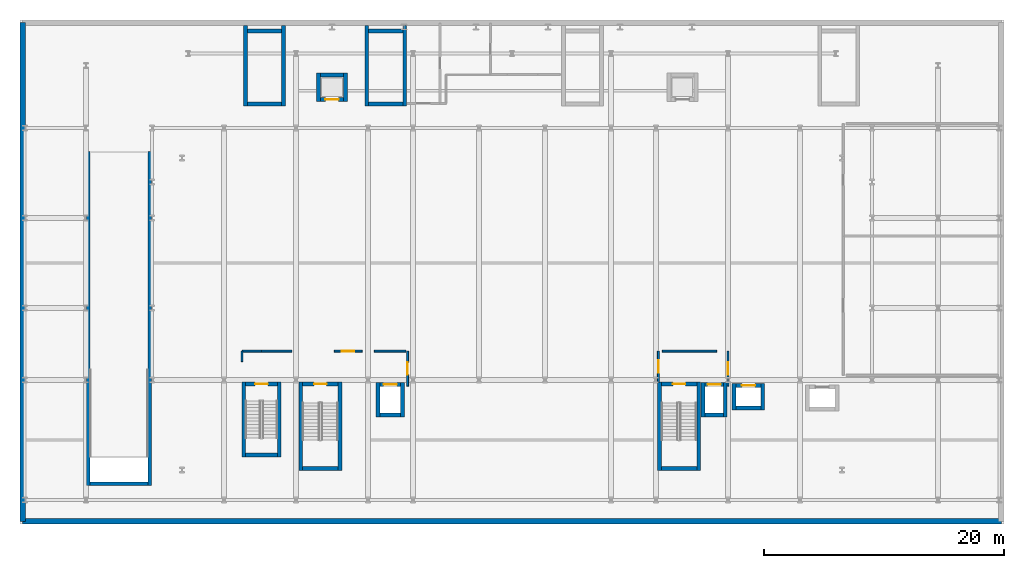
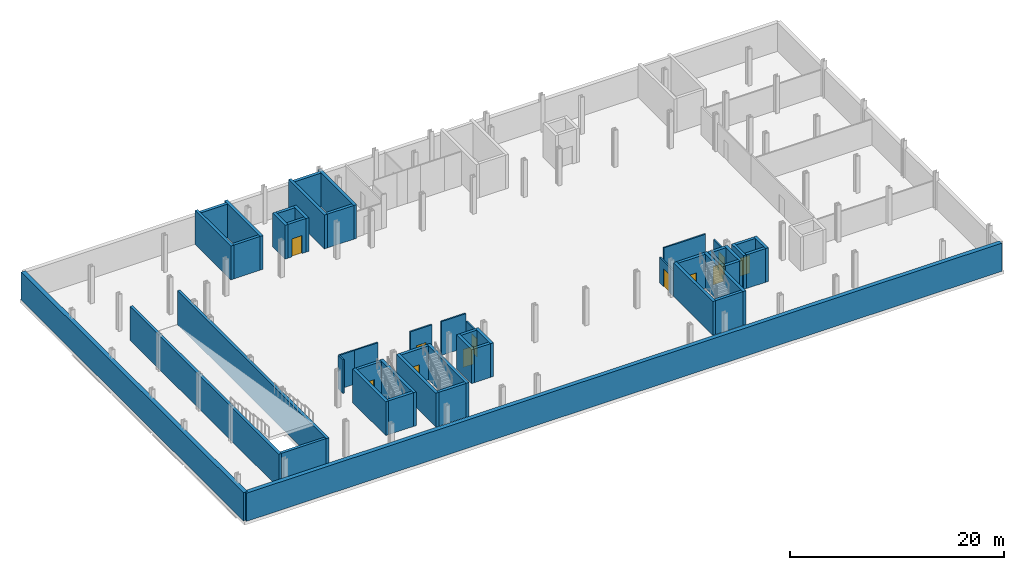
# One storey, part 5 of 12: 50 walls, 11 doors, 11 openings.
"""IFC4 building model written with IfcOpenShell, lengths in metres."""

from ifc_helpers import new_model, si_unit, direction, frame, frame_2d, origin, place, context, subcontext, project, spatial, rectangle, extrude, material, layer, layer_set, type_object, element, fill, save


model = new_model("IFC4")

# Units and contexts
model_context = context("Model", 3, precision=1e-05, world=origin(), true_north=direction((0.0, 1.0)))
body_context = subcontext(model_context, "Body", "Model", "MODEL_VIEW")
ifc_project = project(units=[si_unit("LENGTHUNIT", "METRE"), si_unit("AREAUNIT", "SQUARE_METRE"), si_unit("VOLUMEUNIT", "CUBIC_METRE"), si_unit("PLANEANGLEUNIT", "RADIAN"), si_unit("MASSUNIT", "GRAM", prefix="KILO")], contexts=[model_context])

# Site, building, storey
site_placement = place(None, origin())
site = spatial("IfcSite", under=ifc_project, at=site_placement, CompositionType="ELEMENT")
building_placement = place(site_placement, origin())
building = spatial("IfcBuilding", under=site, at=building_placement, Name="Brevholm Reach", CompositionType="ELEMENT")
storey_placement = place(building_placement, frame((0.0, 0.0, -4.199951171875)))
storey = spatial("IfcBuildingStorey", under=building, at=storey_placement, Name="B01", CompositionType="ELEMENT", Elevation=-4.199951171875)

# Walls
ifc_material_1 = material(Name="Concrete C60/75", Category="concrete")
ifc_layer_1 = layer(ifc_material_1, 0.320068359375)
ifc_layer_set_1 = layer_set([ifc_layer_1], Name="Concrete C60/75")
wall_type_1 = type_object("IfcWallType", Name="WAL-COR-320", PredefinedType="SHEAR", material=ifc_layer_set_1)
for number, where, z_axis, x_axis, name in (
    (1, (12.389892578125, 2.4599609375, 0.0), (0.0, 0.0, 1.0), (0.0, 1.0, 0.0), "B01 Escape Stair ST-1 Core Wall W"),
    (2, (15.659912109375, 2.4599609375, 0.0), (0.0, 0.0, 1.0), (0.0, 1.0, 0.0), "B01 Escape Stair ST-1 Core Wall E"),
):
    element("IfcWall", number, at=place(storey_placement, frame(where, z_axis=z_axis, x_axis=x_axis)), inside=storey, type_object=wall_type_1, Name=name, PredefinedType="SHEAR", context=body_context, shape_type="SweptSolid", body=[
        extrude(rectangle(XDim=7.360107421875, YDim=0.320068359375, at=frame_2d((3.68017578125, 0.0))), origin(), (0.0, 0.0, 1.0), 3.85986328125),
    ])
wall_1_placement = place(storey_placement, frame((12.550048828125, 2.6201171875, 0.0), z_axis=(0.0, 0.0, 1.0), x_axis=(1.0, 0.0, 0.0)))
element("IfcWall", 3, at=wall_1_placement, inside=storey, type_object=wall_type_1, Name="B01 Escape Stair ST-1 Core Wall S", PredefinedType="SHEAR", context=body_context, shape_type="SweptSolid", body=[
    extrude(rectangle(XDim=2.949951171875, YDim=0.320068359375, at=frame_2d((1.47509765625, 0.0))), origin(), (0.0, 0.0, 1.0), 3.85986328125),
])

# Wall, opening, door
wall_2_placement = place(storey_placement, frame((15.5, 9.659912109375, 0.0), z_axis=(0.0, 0.0, 1.0), x_axis=(-1.0, 0.0, 0.0)))
wall_2 = element("IfcWall", 4, at=wall_2_placement, inside=storey, type_object=wall_type_1, Name="B01 Escape Stair ST-1 Core Wall N", PredefinedType="SHEAR", context=body_context, shape_type="SweptSolid", body=[
    extrude(rectangle(XDim=2.949951171875, YDim=0.320068359375, at=frame_2d((1.47509765625, 0.0))), origin(), (0.0, 0.0, 1.0), 3.85986328125),
])
opening_1_placement = place(wall_2_placement, frame((0.949951171875, 0.0, 0.0)))
opening_1 = element("IfcOpeningElement", 5, at=opening_1_placement, cuts=wall_2, Name="Opening SD-ST-1", PredefinedType="OPENING", context=body_context, shape_type="SweptSolid", body=[
    extrude(rectangle(XDim=1.050048828125, YDim=2.06005859375, at=frame_2d((0.52490234375, 1.030029296875))), frame((0.0, 0.169921875, 0.0), z_axis=(0.0, -1.0, 0.0), x_axis=(1.0, 0.0, 0.0)), (0.0, 0.0, 1.0), 0.340087890625),
])
ifc_material_2 = material(Name="Hardwood-Lipped Steel-Core Fire and Smoke Door", Category="steel")
door_type_1 = type_object("IfcDoorType", Name="DOR-INT-FD60S", OperationType="NOTDEFINED", PredefinedType="DOOR", material=ifc_material_2)
door_1_placement = place(opening_1_placement, origin())
door_1 = element("IfcDoor", 6, at=door_1_placement, inside=storey, type_object=door_type_1, Name="B01 Protected Stair ST-1 Lobby Door", OperationType="SINGLE_SWING_LEFT", OverallHeight=2.06005859375, OverallWidth=1.050048828125, PredefinedType="DOOR", context=body_context, shape_type="SweptSolid", body=[
    extrude(rectangle(XDim=1.050048828125, YDim=2.06005859375, at=frame_2d((0.52490234375, 1.030029296875))), frame((0.0, 0.02490234375, 0.0), z_axis=(0.0, -1.0, 0.0), x_axis=(1.0, 0.0, 0.0)), (0.0, 0.0, 1.0), 0.050048828125),
])
fill(opening_1, door_1)

# Walls
for number, where, z_axis, x_axis, name in (
    (7, (42.2900390625, 2.4599609375, 0.0), (0.0, 0.0, 1.0), (0.0, 1.0, 0.0), "B01 Escape Stair ST-2 Core Wall W"),
    (8, (45.56005859375, 2.4599609375, 0.0), (0.0, 0.0, 1.0), (0.0, 1.0, 0.0), "B01 Escape Stair ST-2 Core Wall E"),
):
    element("IfcWall", number, at=place(storey_placement, frame(where, z_axis=z_axis, x_axis=x_axis)), inside=storey, type_object=wall_type_1, Name=name, PredefinedType="SHEAR", context=body_context, shape_type="SweptSolid", body=[
        extrude(rectangle(XDim=7.360107421875, YDim=0.320068359375, at=frame_2d((3.68017578125, 0.0))), origin(), (0.0, 0.0, 1.0), 3.85986328125),
    ])
wall_3_placement = place(storey_placement, frame((42.449951171875, 2.6201171875, 0.0), z_axis=(0.0, 0.0, 1.0), x_axis=(1.0, 0.0, 0.0)))
element("IfcWall", 9, at=wall_3_placement, inside=storey, type_object=wall_type_1, Name="B01 Escape Stair ST-2 Core Wall S", PredefinedType="SHEAR", context=body_context, shape_type="SweptSolid", body=[
    extrude(rectangle(XDim=2.949951171875, YDim=0.320068359375, at=frame_2d((1.47509765625, 0.0))), origin(), (0.0, 0.0, 1.0), 3.85986328125),
])

# Wall, opening, door
wall_4_placement = place(storey_placement, frame((45.39990234375, 9.659912109375, 0.0), z_axis=(0.0, 0.0, 1.0), x_axis=(-1.0, 0.0, 0.0)))
wall_4 = element("IfcWall", 10, at=wall_4_placement, inside=storey, type_object=wall_type_1, Name="B01 Escape Stair ST-2 Core Wall N", PredefinedType="SHEAR", context=body_context, shape_type="SweptSolid", body=[
    extrude(rectangle(XDim=2.949951171875, YDim=0.320068359375, at=frame_2d((1.47509765625, 0.0))), origin(), (0.0, 0.0, 1.0), 3.85986328125),
])
opening_2_placement = place(wall_4_placement, frame((0.949951171875, 0.0, 0.0)))
opening_2 = element("IfcOpeningElement", 11, at=opening_2_placement, cuts=wall_4, Name="Opening SD-ST-2", PredefinedType="OPENING", context=body_context, shape_type="SweptSolid", body=[
    extrude(rectangle(XDim=1.050048828125, YDim=2.06005859375, at=frame_2d((0.52490234375, 1.030029296875))), frame((0.0, 0.169921875, 0.0), z_axis=(0.0, -1.0, 0.0), x_axis=(1.0, 0.0, 0.0)), (0.0, 0.0, 1.0), 0.340087890625),
])
door_2_placement = place(opening_2_placement, origin())
door_2 = element("IfcDoor", 12, at=door_2_placement, inside=storey, type_object=door_type_1, Name="B01 Protected Stair ST-2 Lobby Door", OperationType="SINGLE_SWING_RIGHT", OverallHeight=2.06005859375, OverallWidth=1.050048828125, PredefinedType="DOOR", context=body_context, shape_type="SweptSolid", body=[
    extrude(rectangle(XDim=1.050048828125, YDim=2.06005859375, at=frame_2d((0.52490234375, 1.030029296875))), frame((0.0, 0.02490234375, 0.0), z_axis=(0.0, -1.0, 0.0), x_axis=(1.0, 0.0, 0.0)), (0.0, 0.0, 1.0), 0.050048828125),
])
fill(opening_2, door_2)

# Walls
for number, where, z_axis, x_axis, name in (
    (13, (7.639892578125, 3.60009765625, 0.0), (0.0, 0.0, 1.0), (0.0, 1.0, 0.0), "B01 Escape Stair ST-B1 Core Wall W"),
    (14, (10.610107421875, 3.60009765625, 0.0), (0.0, 0.0, 1.0), (0.0, 1.0, 0.0), "B01 Escape Stair ST-B1 Core Wall E"),
):
    element("IfcWall", number, at=place(storey_placement, frame(where, z_axis=z_axis, x_axis=x_axis)), inside=storey, type_object=wall_type_1, Name=name, PredefinedType="SHEAR", context=body_context, shape_type="SweptSolid", body=[
        extrude(rectangle(XDim=6.219970703125, YDim=0.320068359375, at=frame_2d((3.10986328125, 0.0))), origin(), (0.0, 0.0, 1.0), 3.85986328125),
    ])
wall_5_placement = place(storey_placement, frame((7.800048828125, 3.760009765625, 0.0), z_axis=(0.0, 0.0, 1.0), x_axis=(1.0, 0.0, 0.0)))
element("IfcWall", 15, at=wall_5_placement, inside=storey, type_object=wall_type_1, Name="B01 Escape Stair ST-B1 Core Wall S", PredefinedType="SHEAR", context=body_context, shape_type="SweptSolid", body=[
    extrude(rectangle(XDim=2.64990234375, YDim=0.320068359375, at=frame_2d((1.324951171875, 0.0))), origin(), (0.0, 0.0, 1.0), 3.85986328125),
])

# Wall, opening, door
wall_6_placement = place(storey_placement, frame((10.449951171875, 9.659912109375, 0.0), z_axis=(0.0, 0.0, 1.0), x_axis=(-1.0, 0.0, 0.0)))
wall_6 = element("IfcWall", 16, at=wall_6_placement, inside=storey, type_object=wall_type_1, Name="B01 Escape Stair ST-B1 Core Wall N", PredefinedType="SHEAR", context=body_context, shape_type="SweptSolid", body=[
    extrude(rectangle(XDim=2.64990234375, YDim=0.320068359375, at=frame_2d((1.324951171875, 0.0))), origin(), (0.0, 0.0, 1.0), 3.85986328125),
])
opening_3_placement = place(wall_6_placement, frame((0.800048828125, 0.0, 0.0)))
opening_3 = element("IfcOpeningElement", 17, at=opening_3_placement, cuts=wall_6, Name="Opening SD-ST-B1", PredefinedType="OPENING", context=body_context, shape_type="SweptSolid", body=[
    extrude(rectangle(XDim=1.050048828125, YDim=2.06005859375, at=frame_2d((0.52490234375, 1.030029296875))), frame((0.0, 0.169921875, 0.0), z_axis=(0.0, -1.0, 0.0), x_axis=(1.0, 0.0, 0.0)), (0.0, 0.0, 1.0), 0.340087890625),
])
door_3_placement = place(opening_3_placement, origin())
door_3 = element("IfcDoor", 18, at=door_3_placement, inside=storey, type_object=door_type_1, Name="B01 Protected Stair ST-B1 Lobby Door", OperationType="SINGLE_SWING_LEFT", OverallHeight=2.06005859375, OverallWidth=1.050048828125, PredefinedType="DOOR", context=body_context, shape_type="SweptSolid", body=[
    extrude(rectangle(XDim=1.050048828125, YDim=2.06005859375, at=frame_2d((0.52490234375, 1.030029296875))), frame((0.0, 0.02490234375, 0.0), z_axis=(0.0, -1.0, 0.0), x_axis=(1.0, 0.0, 0.0)), (0.0, 0.0, 1.0), 0.050048828125),
])
fill(opening_3, door_3)

# Walls
for number, where, z_axis, x_axis, name in (
    (19, (18.830078125, 6.919921875, 0.0), (0.0, 0.0, 1.0), (0.0, 1.0, 0.0), "B01 Lift FFL-1 Shaft Wall W"),
    (20, (20.8701171875, 6.919921875, 0.0), (0.0, 0.0, 1.0), (0.0, 1.0, 0.0), "B01 Lift FFL-1 Shaft Wall E"),
):
    element("IfcWall", number, at=place(storey_placement, frame(where, z_axis=z_axis, x_axis=x_axis)), inside=storey, type_object=wall_type_1, Name=name, PredefinedType="SHEAR", context=body_context, shape_type="SweptSolid", body=[
        extrude(rectangle(XDim=2.860107421875, YDim=0.320068359375, at=frame_2d((1.43017578125, 0.0))), origin(), (0.0, 0.0, 1.0), 3.85986328125),
    ])
wall_7_placement = place(storey_placement, frame((18.989990234375, 7.080078125, 0.0), z_axis=(0.0, 0.0, 1.0), x_axis=(1.0, 0.0, 0.0)))
element("IfcWall", 21, at=wall_7_placement, inside=storey, type_object=wall_type_1, Name="B01 Lift FFL-1 Shaft Wall S", PredefinedType="SHEAR", context=body_context, shape_type="SweptSolid", body=[
    extrude(rectangle(XDim=1.719970703125, YDim=0.320068359375, at=frame_2d((0.85986328125, 0.0))), origin(), (0.0, 0.0, 1.0), 3.85986328125),
])

# Wall, opening, door
wall_8_placement = place(storey_placement, frame((18.989990234375, 9.6201171875, 0.0), z_axis=(0.0, 0.0, 1.0), x_axis=(1.0, 0.0, 0.0)))
wall_8 = element("IfcWall", 22, at=wall_8_placement, inside=storey, type_object=wall_type_1, Name="B01 Lift FFL-1 Shaft Wall N", PredefinedType="SHEAR", context=body_context, shape_type="SweptSolid", body=[
    extrude(rectangle(XDim=1.719970703125, YDim=0.320068359375, at=frame_2d((0.85986328125, 0.0))), origin(), (0.0, 0.0, 1.0), 3.85986328125),
])
opening_4_placement = place(wall_8_placement, frame((0.31005859375, 0.0, 0.0)))
opening_4 = element("IfcOpeningElement", 23, at=opening_4_placement, cuts=wall_8, Name="Opening LD-FFL-1", PredefinedType="OPENING", context=body_context, shape_type="SweptSolid", body=[
    extrude(rectangle(XDim=1.10009765625, YDim=2.06005859375, at=frame_2d((0.550048828125, 1.030029296875))), frame((0.0, 0.169921875, 0.0), z_axis=(0.0, -1.0, 0.0), x_axis=(1.0, 0.0, 0.0)), (0.0, 0.0, 1.0), 0.340087890625),
])
ifc_material_3 = material(Name="Brushed Stainless Steel Fire-Rated Sliding Lift Door", Category="steel")
door_type_2 = type_object("IfcDoorType", Name="DOR-LFT-1100", OperationType="NOTDEFINED", PredefinedType="DOOR", material=ifc_material_3)
door_4_placement = place(opening_4_placement, origin())
door_4 = element("IfcDoor", 24, at=door_4_placement, inside=storey, type_object=door_type_2, Name="B01 Lift FFL-1 Sliding Landing Door", OperationType="SLIDING_TO_LEFT", OverallHeight=2.06005859375, OverallWidth=1.10009765625, PredefinedType="DOOR", context=body_context, shape_type="SweptSolid", body=[
    extrude(rectangle(XDim=1.10009765625, YDim=2.06005859375, at=frame_2d((0.550048828125, 1.030029296875))), frame((0.0, 0.02490234375, 0.0), z_axis=(0.0, -1.0, 0.0), x_axis=(1.0, 0.0, 0.0)), (0.0, 0.0, 1.0), 0.050048828125),
])
fill(opening_4, door_4)

# Walls
for number, where, z_axis, x_axis, name in (
    (25, (45.929931640625, 6.919921875, 0.0), (0.0, 0.0, 1.0), (0.0, 1.0, 0.0), "B01 Lift FFL-2 Shaft Wall W"),
    (26, (47.77001953125, 6.919921875, 0.0), (0.0, 0.0, 1.0), (0.0, 1.0, 0.0), "B01 Lift FFL-2 Shaft Wall E"),
):
    element("IfcWall", number, at=place(storey_placement, frame(where, z_axis=z_axis, x_axis=x_axis)), inside=storey, type_object=wall_type_1, Name=name, PredefinedType="SHEAR", context=body_context, shape_type="SweptSolid", body=[
        extrude(rectangle(XDim=2.860107421875, YDim=0.320068359375, at=frame_2d((1.43017578125, 0.0))), origin(), (0.0, 0.0, 1.0), 3.85986328125),
    ])
wall_9_placement = place(storey_placement, frame((46.090087890625, 7.080078125, 0.0), z_axis=(0.0, 0.0, 1.0), x_axis=(1.0, 0.0, 0.0)))
element("IfcWall", 27, at=wall_9_placement, inside=storey, type_object=wall_type_1, Name="B01 Lift FFL-2 Shaft Wall S", PredefinedType="SHEAR", context=body_context, shape_type="SweptSolid", body=[
    extrude(rectangle(XDim=1.52001953125, YDim=0.320068359375, at=frame_2d((0.760009765625, 0.0))), origin(), (0.0, 0.0, 1.0), 3.85986328125),
])

# Wall, opening, door
wall_10_placement = place(storey_placement, frame((46.090087890625, 9.6201171875, 0.0), z_axis=(0.0, 0.0, 1.0), x_axis=(1.0, 0.0, 0.0)))
wall_10 = element("IfcWall", 28, at=wall_10_placement, inside=storey, type_object=wall_type_1, Name="B01 Lift FFL-2 Shaft Wall N", PredefinedType="SHEAR", context=body_context, shape_type="SweptSolid", body=[
    extrude(rectangle(XDim=1.52001953125, YDim=0.320068359375, at=frame_2d((0.760009765625, 0.0))), origin(), (0.0, 0.0, 1.0), 3.85986328125),
])
opening_5_placement = place(wall_10_placement, frame((0.2099609375, 0.0, 0.0)))
opening_5 = element("IfcOpeningElement", 29, at=opening_5_placement, cuts=wall_10, Name="Opening LD-FFL-2", PredefinedType="OPENING", context=body_context, shape_type="SweptSolid", body=[
    extrude(rectangle(XDim=1.10009765625, YDim=2.06005859375, at=frame_2d((0.550048828125, 1.030029296875))), frame((0.0, 0.169921875, 0.0), z_axis=(0.0, -1.0, 0.0), x_axis=(1.0, 0.0, 0.0)), (0.0, 0.0, 1.0), 0.340087890625),
])
door_5_placement = place(opening_5_placement, origin())
door_5 = element("IfcDoor", 30, at=door_5_placement, inside=storey, type_object=door_type_2, Name="B01 Lift FFL-2 Sliding Landing Door", OperationType="SLIDING_TO_RIGHT", OverallHeight=2.06005859375, OverallWidth=1.10009765625, PredefinedType="DOOR", context=body_context, shape_type="SweptSolid", body=[
    extrude(rectangle(XDim=1.10009765625, YDim=2.06005859375, at=frame_2d((0.550048828125, 1.030029296875))), frame((0.0, 0.02490234375, 0.0), z_axis=(0.0, -1.0, 0.0), x_axis=(1.0, 0.0, 0.0)), (0.0, 0.0, 1.0), 0.050048828125),
])
fill(opening_5, door_5)

# Walls
for number, where, z_axis, x_axis, name in (
    (31, (48.5048828125, 7.4951171875, 0.0), (0.0, 0.0, 1.0), (0.0, 1.0, 0.0), "B01 Lift PL-L1 Shaft Wall W"),
    (32, (50.89501953125, 7.4951171875, 0.0), (0.0, 0.0, 1.0), (0.0, 1.0, 0.0), "B01 Lift PL-L1 Shaft Wall E"),
):
    element("IfcWall", number, at=place(storey_placement, frame(where, z_axis=z_axis, x_axis=x_axis)), inside=storey, type_object=wall_type_1, Name=name, PredefinedType="SHEAR", context=body_context, shape_type="SweptSolid", body=[
        extrude(rectangle(XDim=2.2099609375, YDim=0.320068359375, at=frame_2d((1.10498046875, 0.0))), origin(), (0.0, 0.0, 1.0), 3.85986328125),
    ])
wall_11_placement = place(storey_placement, frame((48.6650390625, 7.655029296875, 0.0), z_axis=(0.0, 0.0, 1.0), x_axis=(1.0, 0.0, 0.0)))
element("IfcWall", 33, at=wall_11_placement, inside=storey, type_object=wall_type_1, Name="B01 Lift PL-L1 Shaft Wall S", PredefinedType="SHEAR", context=body_context, shape_type="SweptSolid", body=[
    extrude(rectangle(XDim=2.070068359375, YDim=0.320068359375, at=frame_2d((1.03515625, 0.0))), origin(), (0.0, 0.0, 1.0), 3.85986328125),
])

# Wall, opening, door
wall_12_placement = place(storey_placement, frame((48.6650390625, 9.544921875, 0.0), z_axis=(0.0, 0.0, 1.0), x_axis=(1.0, 0.0, 0.0)))
wall_12 = element("IfcWall", 34, at=wall_12_placement, inside=storey, type_object=wall_type_1, Name="B01 Lift PL-L1 Shaft Wall N", PredefinedType="SHEAR", context=body_context, shape_type="SweptSolid", body=[
    extrude(rectangle(XDim=2.070068359375, YDim=0.320068359375, at=frame_2d((1.03515625, 0.0))), origin(), (0.0, 0.0, 1.0), 3.85986328125),
])
opening_6_placement = place(wall_12_placement, frame((0.485107421875, 0.0, 0.0)))
opening_6 = element("IfcOpeningElement", 35, at=opening_6_placement, cuts=wall_12, Name="Opening LD-PL-L1", PredefinedType="OPENING", context=body_context, shape_type="SweptSolid", body=[
    extrude(rectangle(XDim=1.10009765625, YDim=2.06005859375, at=frame_2d((0.550048828125, 1.030029296875))), frame((0.0, 0.169921875, 0.0), z_axis=(0.0, -1.0, 0.0), x_axis=(1.0, 0.0, 0.0)), (0.0, 0.0, 1.0), 0.340087890625),
])
door_6_placement = place(opening_6_placement, origin())
door_6 = element("IfcDoor", 36, at=door_6_placement, inside=storey, type_object=door_type_2, Name="B01 Lift PL-L1 Sliding Landing Door", OperationType="SLIDING_TO_LEFT", OverallHeight=2.06005859375, OverallWidth=1.10009765625, PredefinedType="DOOR", context=body_context, shape_type="SweptSolid", body=[
    extrude(rectangle(XDim=1.10009765625, YDim=2.06005859375, at=frame_2d((0.550048828125, 1.030029296875))), frame((0.0, 0.02490234375, 0.0), z_axis=(0.0, -1.0, 0.0), x_axis=(1.0, 0.0, 0.0)), (0.0, 0.0, 1.0), 0.050048828125),
])
fill(opening_6, door_6)

# Walls
for number, where, z_axis, x_axis, name in (
    (37, (13.8798828125, 33.219970703125, 0.0), (0.0, 0.0, 1.0), (0.0, 1.0, 0.0), "B01 Lift SL-1 Shaft Wall W"),
    (38, (16.1201171875, 33.219970703125, 0.0), (0.0, 0.0, 1.0), (0.0, 1.0, 0.0), "B01 Lift SL-1 Shaft Wall E"),
):
    element("IfcWall", number, at=place(storey_placement, frame(where, z_axis=z_axis, x_axis=x_axis)), inside=storey, type_object=wall_type_1, Name=name, PredefinedType="SHEAR", context=body_context, shape_type="SweptSolid", body=[
        extrude(rectangle(XDim=2.360107421875, YDim=0.320068359375, at=frame_2d((1.18017578125, 0.0))), origin(), (0.0, 0.0, 1.0), 3.85986328125),
    ])

# Wall, opening, door
wall_13_placement = place(storey_placement, frame((14.0400390625, 33.3798828125, 0.0), z_axis=(0.0, 0.0, 1.0), x_axis=(1.0, 0.0, 0.0)))
wall_13 = element("IfcWall", 39, at=wall_13_placement, inside=storey, type_object=wall_type_1, Name="B01 Lift SL-1 Shaft Wall S", PredefinedType="SHEAR", context=body_context, shape_type="SweptSolid", body=[
    extrude(rectangle(XDim=1.919921875, YDim=0.320068359375, at=frame_2d((0.9599609375, 0.0))), origin(), (0.0, 0.0, 1.0), 3.85986328125),
])
opening_7_placement = place(wall_13_placement, frame((0.409912109375, 0.0, 0.0)))
opening_7 = element("IfcOpeningElement", 40, at=opening_7_placement, cuts=wall_13, Name="Opening LD-SL-1", PredefinedType="OPENING", context=body_context, shape_type="SweptSolid", body=[
    extrude(rectangle(XDim=1.10009765625, YDim=2.06005859375, at=frame_2d((0.550048828125, 1.030029296875))), frame((0.0, 0.169921875, 0.0), z_axis=(0.0, -1.0, 0.0), x_axis=(1.0, 0.0, 0.0)), (0.0, 0.0, 1.0), 0.340087890625),
])
door_7_placement = place(opening_7_placement, origin())
door_7 = element("IfcDoor", 41, at=door_7_placement, inside=storey, type_object=door_type_2, Name="B01 Lift SL-1 Sliding Landing Door", OperationType="SLIDING_TO_LEFT", OverallHeight=2.06005859375, OverallWidth=1.10009765625, PredefinedType="DOOR", context=body_context, shape_type="SweptSolid", body=[
    extrude(rectangle(XDim=1.10009765625, YDim=2.06005859375, at=frame_2d((0.550048828125, 1.030029296875))), frame((0.0, 0.02490234375, 0.0), z_axis=(0.0, -1.0, 0.0), x_axis=(1.0, 0.0, 0.0)), (0.0, 0.0, 1.0), 0.050048828125),
])
fill(opening_7, door_7)

# Walls
wall_14_placement = place(storey_placement, frame((14.0400390625, 35.419921875, 0.0), z_axis=(0.0, 0.0, 1.0), x_axis=(1.0, 0.0, 0.0)))
element("IfcWall", 42, at=wall_14_placement, inside=storey, type_object=wall_type_1, Name="B01 Lift SL-1 Shaft Wall N", PredefinedType="SHEAR", context=body_context, shape_type="SweptSolid", body=[
    extrude(rectangle(XDim=1.919921875, YDim=0.320068359375, at=frame_2d((0.9599609375, 0.0))), origin(), (0.0, 0.0, 1.0), 3.85986328125),
])
for number, where, z_axis, x_axis, name in (
    (43, (7.7900390625, 32.830078125, 0.0), (0.0, 0.0, 1.0), (0.0, 1.0, 0.0), "B01 North Stair Plinth Shear Wall ST-S1-W"),
    (44, (10.9599609375, 32.830078125, 0.0), (0.0, 0.0, 1.0), (0.0, 1.0, 0.0), "B01 North Stair Plinth Shear Wall ST-S1-E"),
):
    element("IfcWall", number, at=place(storey_placement, frame(where, z_axis=z_axis, x_axis=x_axis)), inside=storey, type_object=wall_type_1, Name=name, PredefinedType="SHEAR", context=body_context, shape_type="SweptSolid", body=[
        extrude(rectangle(XDim=6.719970703125, YDim=0.320068359375, at=frame_2d((3.35986328125, 0.0))), origin(), (0.0, 0.0, 1.0), 3.85986328125),
    ])
for number, where, z_axis, x_axis, name in (
    (45, (7.949951171875, 32.989990234375, 0.0), (0.0, 0.0, 1.0), (1.0, 0.0, 0.0), "B01 North Stair Plinth Shear Wall ST-S1-S"),
    (46, (7.949951171875, 39.090087890625, 0.0), (0.0, 0.0, 1.0), (1.0, 0.0, 0.0), "B01 North Stair Plinth Shear Wall ST-S1-N"),
):
    element("IfcWall", number, at=place(storey_placement, frame(where, z_axis=z_axis, x_axis=x_axis)), inside=storey, type_object=wall_type_1, Name=name, PredefinedType="SHEAR", context=body_context, shape_type="SweptSolid", body=[
        extrude(rectangle(XDim=2.85009765625, YDim=0.320068359375, at=frame_2d((1.425048828125, 0.0))), origin(), (0.0, 0.0, 1.0), 3.85986328125),
    ])
for number, where, z_axis, x_axis, name in (
    (47, (17.889892578125, 32.830078125, 0.0), (0.0, 0.0, 1.0), (0.0, 1.0, 0.0), "B01 North Stair Plinth Shear Wall ST-S2-W"),
    (48, (21.06005859375, 32.830078125, 0.0), (0.0, 0.0, 1.0), (0.0, 1.0, 0.0), "B01 North Stair Plinth Shear Wall ST-S2-E"),
):
    element("IfcWall", number, at=place(storey_placement, frame(where, z_axis=z_axis, x_axis=x_axis)), inside=storey, type_object=wall_type_1, Name=name, PredefinedType="SHEAR", context=body_context, shape_type="SweptSolid", body=[
        extrude(rectangle(XDim=6.719970703125, YDim=0.320068359375, at=frame_2d((3.35986328125, 0.0))), origin(), (0.0, 0.0, 1.0), 3.85986328125),
    ])
for number, where, z_axis, x_axis, name in (
    (49, (18.050048828125, 32.989990234375, 0.0), (0.0, 0.0, 1.0), (1.0, 0.0, 0.0), "B01 North Stair Plinth Shear Wall ST-S2-S"),
    (50, (18.050048828125, 39.090087890625, 0.0), (0.0, 0.0, 1.0), (1.0, 0.0, 0.0), "B01 North Stair Plinth Shear Wall ST-S2-N"),
):
    element("IfcWall", number, at=place(storey_placement, frame(where, z_axis=z_axis, x_axis=x_axis)), inside=storey, type_object=wall_type_1, Name=name, PredefinedType="SHEAR", context=body_context, shape_type="SweptSolid", body=[
        extrude(rectangle(XDim=2.849853515625, YDim=0.320068359375, at=frame_2d((1.4248046875, 0.0))), origin(), (0.0, 0.0, 1.0), 3.85986328125),
    ])

# Wall, opening, door
ifc_material_4 = material(Name="Twin-Frame Fire-Rated Gypsum Board and Mineral Wool 160 mm", Category="gypsum")
ifc_layer_2 = layer(ifc_material_4, 0.159912109375)
ifc_layer_set_2 = layer_set([ifc_layer_2], Name="Twin-Frame Fire-Rated Gypsum Board and Mineral Wool 160 mm")
wall_type_2 = type_object("IfcWallType", Name="WAL-PRT-160", PredefinedType="PARTITIONING", material=ifc_layer_set_2)
wall_15_placement = place(storey_placement, frame((21.300048828125, 9.5, 0.0), z_axis=(0.0, 0.0, 1.0), x_axis=(0.0, 1.0, 0.0)))
wall_15 = element("IfcWall", 51, at=wall_15_placement, inside=storey, type_object=wall_type_2, Name="B01 Internal Partition 001", PredefinedType="PARTITIONING", context=body_context, shape_type="SweptSolid", body=[
    extrude(rectangle(XDim=2.89990234375, YDim=0.159912109375, at=frame_2d((1.449951171875, 0.0))), origin(), (0.0, 0.0, 1.0), 2.908447265625),
])
opening_8_placement = place(wall_15_placement, frame((0.925048828125, 0.0, 0.0)))
opening_8 = element("IfcOpeningElement", 52, at=opening_8_placement, cuts=wall_15, Name="Opening FD-01", PredefinedType="OPENING", context=body_context, shape_type="SweptSolid", body=[
    extrude(rectangle(XDim=1.050048828125, YDim=2.06005859375, at=frame_2d((0.52490234375, 1.030029296875))), frame((0.0, 0.08984375, 0.0), z_axis=(0.0, -1.0, 0.0), x_axis=(1.0, 0.0, 0.0)), (0.0, 0.0, 1.0), 0.179931640625),
])
door_8_placement = place(opening_8_placement, origin())
door_8 = element("IfcDoor", 53, at=door_8_placement, inside=storey, type_object=door_type_1, Name="B01 Internal Door 001", OperationType="SINGLE_SWING_LEFT", OverallHeight=2.06005859375, OverallWidth=1.050048828125, PredefinedType="DOOR", context=body_context, shape_type="SweptSolid", body=[
    extrude(rectangle(XDim=1.050048828125, YDim=2.06005859375, at=frame_2d((0.52490234375, 1.030029296875))), frame((0.0, 0.02490234375, 0.0), z_axis=(0.0, -1.0, 0.0), x_axis=(1.0, 0.0, 0.0)), (0.0, 0.0, 1.0), 0.050048828125),
])
fill(opening_8, door_8)

wall_16_placement = place(storey_placement, frame((15.188720703125, 12.39990234375, 0.0), z_axis=(0.0, 0.0, 1.0), x_axis=(1.0, 0.0, 0.0)))
wall_16 = element("IfcWall", 54, at=wall_16_placement, inside=storey, type_object=wall_type_2, Name="B01 Internal Partition 002", PredefinedType="PARTITIONING", context=body_context, shape_type="SweptSolid", body=[
    extrude(rectangle(XDim=2.322509765625, YDim=0.159912109375, at=frame_2d((1.1611328125, 0.0))), origin(), (0.0, 0.0, 1.0), 3.85986328125),
])
opening_9_placement = place(wall_16_placement, frame((0.63623046875, 0.0, 0.0)))
opening_9 = element("IfcOpeningElement", 55, at=opening_9_placement, cuts=wall_16, Name="Opening FD-01", PredefinedType="OPENING", context=body_context, shape_type="SweptSolid", body=[
    extrude(rectangle(XDim=1.050048828125, YDim=2.06005859375, at=frame_2d((0.52490234375, 1.030029296875))), frame((0.0, 0.08984375, 0.0), z_axis=(0.0, -1.0, 0.0), x_axis=(1.0, 0.0, 0.0)), (0.0, 0.0, 1.0), 0.179931640625),
])
door_9_placement = place(opening_9_placement, origin())
door_9 = element("IfcDoor", 56, at=door_9_placement, inside=storey, type_object=door_type_1, Name="B01 Internal Door 002", OperationType="SINGLE_SWING_RIGHT", OverallHeight=2.06005859375, OverallWidth=1.050048828125, PredefinedType="DOOR", context=body_context, shape_type="SweptSolid", body=[
    extrude(rectangle(XDim=1.050048828125, YDim=2.06005859375, at=frame_2d((0.52490234375, 1.030029296875))), frame((0.0, 0.02490234375, 0.0), z_axis=(0.0, -1.0, 0.0), x_axis=(1.0, 0.0, 0.0)), (0.0, 0.0, 1.0), 0.050048828125),
])
fill(opening_9, door_9)

# Walls
wall_17_placement = place(storey_placement, frame((7.5, 12.39990234375, 0.0), z_axis=(0.0, 0.0, 1.0), x_axis=(1.0, 0.0, 0.0)))
element("IfcWall", 57, at=wall_17_placement, inside=storey, type_object=wall_type_2, Name="B01 Internal Partition 003", PredefinedType="PARTITIONING", context=body_context, shape_type="SweptSolid", body=[
    extrude(rectangle(XDim=1.611328125, YDim=0.159912109375, at=frame_2d((0.8056640625, 0.0))), origin(), (0.0, 0.0, 1.0), 3.85986328125),
])
wall_18_placement = place(storey_placement, frame((7.5, 11.538818359375, 0.0), z_axis=(0.0, 0.0, 1.0), x_axis=(0.0, 1.0, 0.0)))
element("IfcWall", 58, at=wall_18_placement, inside=storey, type_object=wall_type_2, Name="B01 Internal Partition 004", PredefinedType="PARTITIONING", context=body_context, shape_type="SweptSolid", body=[
    extrude(rectangle(XDim=0.861083984375, YDim=0.159912109375, at=frame_2d((0.4306640625, 0.0))), origin(), (0.0, 0.0, 1.0), 3.85986328125),
])
wall_19_placement = place(storey_placement, frame((9.0927734375, 12.39990234375, 0.0), z_axis=(0.0, 0.0, 1.0), x_axis=(1.0, 0.0, 0.0)))
element("IfcWall", 59, at=wall_19_placement, inside=storey, type_object=wall_type_2, Name="B01 Internal Partition 005", PredefinedType="PARTITIONING", context=body_context, shape_type="SweptSolid", body=[
    extrude(rectangle(XDim=2.568603515625, YDim=0.159912109375, at=frame_2d((1.2841796875, 0.0))), origin(), (0.0, 0.0, 1.0), 3.85986328125),
])
wall_20_placement = place(storey_placement, frame((18.538818359375, 12.39990234375, 0.0), z_axis=(0.0, 0.0, 1.0), x_axis=(1.0, 0.0, 0.0)))
element("IfcWall", 60, at=wall_20_placement, inside=storey, type_object=wall_type_2, Name="B01 Internal Partition 006", PredefinedType="PARTITIONING", context=body_context, shape_type="SweptSolid", body=[
    extrude(rectangle(XDim=2.62255859375, YDim=0.159912109375, at=frame_2d((1.311279296875, 0.0))), origin(), (0.0, 0.0, 1.0), 3.85986328125),
])

# Wall, opening, door
wall_21_placement = place(storey_placement, frame((42.199951171875, 9.830078125, 0.0), z_axis=(0.0, 0.0, 1.0), x_axis=(0.0, 1.0, 0.0)))
wall_21 = element("IfcWall", 61, at=wall_21_placement, inside=storey, type_object=wall_type_2, Name="B01 Internal Partition 007", PredefinedType="PARTITIONING", context=body_context, shape_type="SweptSolid", body=[
    extrude(rectangle(XDim=2.56982421875, YDim=0.159912109375, at=frame_2d((1.284912109375, 0.0))), origin(), (0.0, 0.0, 1.0), 2.908447265625),
])
opening_10_placement = place(wall_21_placement, frame((0.760009765625, 0.0, 0.0)))
opening_10 = element("IfcOpeningElement", 62, at=opening_10_placement, cuts=wall_21, Name="Opening FD-01", PredefinedType="OPENING", context=body_context, shape_type="SweptSolid", body=[
    extrude(rectangle(XDim=1.050048828125, YDim=2.06005859375, at=frame_2d((0.52490234375, 1.030029296875))), frame((0.0, 0.08984375, 0.0), z_axis=(0.0, -1.0, 0.0), x_axis=(1.0, 0.0, 0.0)), (0.0, 0.0, 1.0), 0.179931640625),
])
door_10_placement = place(opening_10_placement, origin())
door_10 = element("IfcDoor", 63, at=door_10_placement, inside=storey, type_object=door_type_1, Name="B01 Internal Door 003", OperationType="SINGLE_SWING_LEFT", OverallHeight=2.06005859375, OverallWidth=1.050048828125, PredefinedType="DOOR", context=body_context, shape_type="SweptSolid", body=[
    extrude(rectangle(XDim=1.050048828125, YDim=2.06005859375, at=frame_2d((0.52490234375, 1.030029296875))), frame((0.0, 0.02490234375, 0.0), z_axis=(0.0, -1.0, 0.0), x_axis=(1.0, 0.0, 0.0)), (0.0, 0.0, 1.0), 0.050048828125),
])
fill(opening_10, door_10)

wall_22_placement = place(storey_placement, frame((48.0, 9.5, 0.0), z_axis=(0.0, 0.0, 1.0), x_axis=(0.0, 1.0, 0.0)))
wall_22 = element("IfcWall", 64, at=wall_22_placement, inside=storey, type_object=wall_type_2, Name="B01 Internal Partition 008", PredefinedType="PARTITIONING", context=body_context, shape_type="SweptSolid", body=[
    extrude(rectangle(XDim=2.89990234375, YDim=0.159912109375, at=frame_2d((1.449951171875, 0.0))), origin(), (0.0, 0.0, 1.0), 2.908447265625),
])
opening_11_placement = place(wall_22_placement, frame((0.925048828125, 0.0, 0.0)))
opening_11 = element("IfcOpeningElement", 65, at=opening_11_placement, cuts=wall_22, Name="Opening FD-01", PredefinedType="OPENING", context=body_context, shape_type="SweptSolid", body=[
    extrude(rectangle(XDim=1.050048828125, YDim=2.06005859375, at=frame_2d((0.52490234375, 1.030029296875))), frame((0.0, 0.08984375, 0.0), z_axis=(0.0, -1.0, 0.0), x_axis=(1.0, 0.0, 0.0)), (0.0, 0.0, 1.0), 0.179931640625),
])
door_11_placement = place(opening_11_placement, origin())
door_11 = element("IfcDoor", 66, at=door_11_placement, inside=storey, type_object=door_type_1, Name="B01 Internal Door 004", OperationType="SINGLE_SWING_RIGHT", OverallHeight=2.06005859375, OverallWidth=1.050048828125, PredefinedType="DOOR", context=body_context, shape_type="SweptSolid", body=[
    extrude(rectangle(XDim=1.050048828125, YDim=2.06005859375, at=frame_2d((0.52490234375, 1.030029296875))), frame((0.0, 0.02490234375, 0.0), z_axis=(0.0, -1.0, 0.0), x_axis=(1.0, 0.0, 0.0)), (0.0, 0.0, 1.0), 0.050048828125),
])
fill(opening_11, door_11)

# Walls
wall_23_placement = place(storey_placement, frame((42.538818359375, 12.39990234375, 0.0), z_axis=(0.0, 0.0, 1.0), x_axis=(1.0, 0.0, 0.0)))
element("IfcWall", 67, at=wall_23_placement, inside=storey, type_object=wall_type_2, Name="B01 Internal Partition 009", PredefinedType="PARTITIONING", context=body_context, shape_type="SweptSolid", body=[
    extrude(rectangle(XDim=4.5224609375, YDim=0.159912109375, at=frame_2d((2.26123046875, 0.0))), origin(), (0.0, 0.0, 1.0), 3.85986328125),
])
ifc_material_5 = material(Name="Concrete C45/55", Category="concrete")
ifc_layer_3 = layer(ifc_material_5, 0.449951171875)
ifc_layer_set_3 = layer_set([ifc_layer_3], Name="Concrete C45/55")
wall_type_3 = type_object("IfcWallType", Name="WAL-RET-450", PredefinedType="SHEAR", material=ifc_layer_set_3)
wall_24_placement = place(storey_placement, frame((-10.77490234375, -1.77490234375, 0.0), z_axis=(0.0, 0.0, 1.0), x_axis=(1.0, 0.0, 0.0)))
element("IfcWall", 68, at=wall_24_placement, inside=storey, type_object=wall_type_3, Name="B01 Facade Wall WAL-B01-RET-1", PredefinedType="SHEAR", context=body_context, shape_type="SweptSolid", body=[
    extrude(rectangle(XDim=81.5498046875, YDim=0.449951171875, at=frame_2d((40.77490234375, 0.0))), origin(), (0.0, 0.0, 1.0), 3.219970703125),
])
wall_25_placement = place(storey_placement, frame((-10.77490234375, 39.77490234375, 0.0), z_axis=(0.0, 0.0, 1.0), x_axis=(0.0, -1.0, 0.0)))
element("IfcWall", 69, at=wall_25_placement, inside=storey, type_object=wall_type_3, Name="B01 Facade Wall WAL-B01-RET-4", PredefinedType="SHEAR", context=body_context, shape_type="SweptSolid", body=[
    extrude(rectangle(XDim=41.5498046875, YDim=0.449951171875, at=frame_2d((20.77490234375, 0.0))), origin(), (0.0, 0.0, 1.0), 3.219970703125),
])
ifc_material_6 = material(Name="Concrete C50/60", Category="concrete")
ifc_layer_4 = layer(ifc_material_6, 0.300048828125)
ifc_layer_set_4 = layer_set([ifc_layer_4], Name="Concrete C50/60")
wall_type_4 = type_object("IfcWallType", Name="WAL-RMP-300", PredefinedType="SHEAR", material=ifc_layer_set_4)
for number, where, z_axis, x_axis, name in (
    (70, (-5.31005859375, 1.199951171875, 0.0), (0.0, 0.0, 1.0), (0.0, 1.0, 0.0), "B01 Vehicle Ramp Support Shear Wall W"),
    (71, (-0.18994140625, 1.199951171875, 0.0), (0.0, 0.0, 1.0), (0.0, 1.0, 0.0), "B01 Vehicle Ramp Support Shear Wall E"),
):
    element("IfcWall", number, at=place(storey_placement, frame(where, z_axis=z_axis, x_axis=x_axis)), inside=storey, type_object=wall_type_4, Name=name, PredefinedType="SHEAR", context=body_context, shape_type="SweptSolid", body=[
        extrude(rectangle(XDim=27.840087890625, YDim=0.300048828125, at=frame_2d((13.919921875, 0.0))), origin(), (0.0, 0.0, 1.0), 3.85986328125),
    ])
wall_26_placement = place(storey_placement, frame((-5.14990234375, 1.35009765625, 0.0), z_axis=(0.0, 0.0, 1.0), x_axis=(1.0, 0.0, 0.0)))
element("IfcWall", 72, at=wall_26_placement, inside=storey, type_object=wall_type_4, Name="B01 Vehicle Ramp South Headwall", PredefinedType="SHEAR", context=body_context, shape_type="SweptSolid", body=[
    extrude(rectangle(XDim=4.7998046875, YDim=0.300048828125, at=frame_2d((2.39990234375, 0.0))), origin(), (0.0, 0.0, 1.0), 3.85986328125),
])

save(model, "model.ifc")
